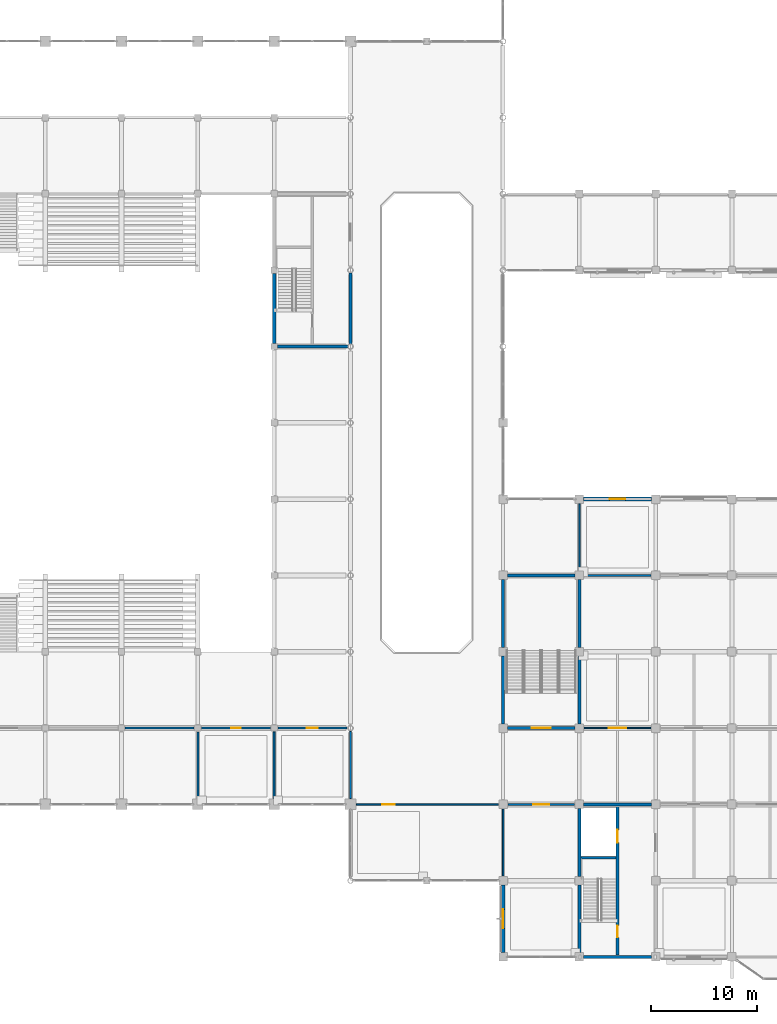
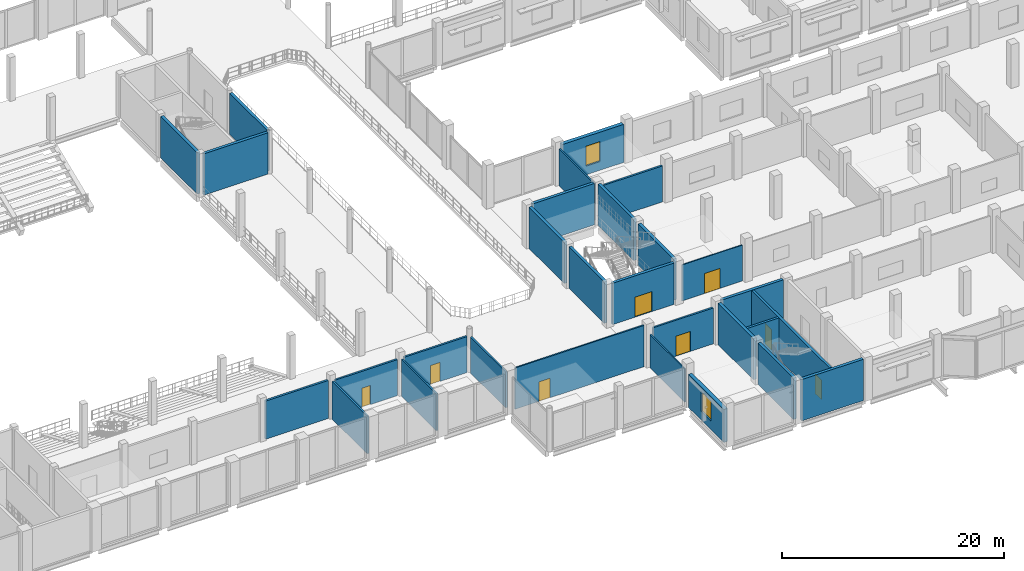
# One storey, part 66 of 99: 29 walls, 8 doors, 2 windows, 10 openings.
"""IFC4 building model written with IfcOpenShell, lengths in metres."""

from ifc_helpers import new_model, si_unit, direction, frame, frame_2d, origin, place, context, subcontext, project, spatial, rectangle, extrude, material, layer, layer_set, type_object, element, fill, save


model = new_model("IFC4")

# Units and contexts
model_context = context("Model", 3, precision=1e-05, world=origin(), true_north=direction((0.0, 1.0)))
body_context = subcontext(model_context, "Body", "Model", "MODEL_VIEW")
ifc_project = project(units=[si_unit("LENGTHUNIT", "METRE"), si_unit("AREAUNIT", "SQUARE_METRE"), si_unit("VOLUMEUNIT", "CUBIC_METRE"), si_unit("PLANEANGLEUNIT", "RADIAN"), si_unit("MASSUNIT", "GRAM", prefix="KILO")], contexts=[model_context])

# Site, building, storey
site_placement = place(None, origin())
site = spatial("IfcSite", under=ifc_project, at=site_placement, CompositionType="ELEMENT")
building_placement = place(site_placement, origin())
building = spatial("IfcBuilding", under=site, at=building_placement, Name="Vesperath Aquatics Centre", CompositionType="ELEMENT")
storey_placement = place(building_placement, frame((0.0, 0.0, 5.39990234375)))
storey = spatial("IfcBuildingStorey", under=building, at=storey_placement, Name="L01", CompositionType="ELEMENT", Elevation=5.39990234375)

# Wall, opening, window
ifc_material_1 = material(Name="Red-terracotta brick insulated cavity wall", Category="masonry")
ifc_layer_1 = layer(ifc_material_1, 0.3798828125)
ifc_layer_set_1 = layer_set([ifc_layer_1], Name="Red-terracotta brick insulated cavity wall")
wall_type_1 = type_object("IfcWallType", Name="WL-EW02", PredefinedType="SOLIDWALL", material=ifc_layer_set_1)
wall_1_placement = place(storey_placement, frame((122.800048828125, 43.199951171875, 0.0), z_axis=(0.0, 0.0, 1.0), x_axis=(1.0, 0.0, 0.0)))
wall_1 = element("IfcWall", 1, at=wall_1_placement, inside=storey, type_object=wall_type_1, Name="Exterior Wall EW02 L01_N_17_06", PredefinedType="SOLIDWALL", context=body_context, shape_type="SweptSolid", body=[
    extrude(rectangle(XDim=6.39990234375, YDim=0.3798828125, at=frame_2d((3.199951171875, 0.0))), origin(), (0.0, 0.0, 1.0), 4.190185546875),
])
opening_1_placement = place(wall_1_placement, frame((2.449951171875, 0.0, 0.949951171875)))
opening_1 = element("IfcOpeningElement", 2, at=opening_1_placement, cuts=wall_1, Name="Opening W04", PredefinedType="OPENING", context=body_context, shape_type="SweptSolid", body=[
    extrude(rectangle(XDim=1.5, YDim=2.199951171875, at=frame_2d((0.75, 1.10009765625))), frame((0.0, 0.204833984375, 0.0), z_axis=(0.0, -1.0, 0.0), x_axis=(1.0, 0.0, 0.0)), (0.0, 0.0, 1.0), 0.40966796875),
])
ifc_material_2 = material(Name="Thermally broken aluminium triple-glazed window", Category="aluminium")
window_type_1 = type_object("IfcWindowType", Name="WN-W04", PartitioningType="SINGLE_PANEL", PredefinedType="WINDOW", material=ifc_material_2)
window_1_placement = place(opening_1_placement, origin())
window_1 = element("IfcWindow", 3, at=window_1_placement, inside=storey, type_object=window_type_1, Name="Deep-Reveal Casement Window W04 L01_N_17_06", OverallHeight=2.199951171875, OverallWidth=1.5, PartitioningType="SINGLE_PANEL", PredefinedType="WINDOW", context=body_context, shape_type="SweptSolid", body=[
    extrude(rectangle(XDim=1.5, YDim=2.199951171875, at=frame_2d((0.75, 1.10009765625))), frame((0.0, 0.030029296875, 0.0), z_axis=(0.0, -1.0, 0.0), x_axis=(1.0, 0.0, 0.0)), (0.0, 0.0, 1.0), 0.06005859375),
])
fill(opening_1, window_1)

wall_2_placement = place(storey_placement, frame((115.199951171875, 0.39990234375, 0.0), z_axis=(0.0, 0.0, 1.0), x_axis=(0.0, 1.0, 0.0)))
wall_2 = element("IfcWall", 4, at=wall_2_placement, inside=storey, type_object=wall_type_1, Name="Exterior Wall EW02 L01_W_16_00", PredefinedType="SOLIDWALL", context=body_context, shape_type="SweptSolid", body=[
    extrude(rectangle(XDim=6.400146484375, YDim=0.3798828125, at=frame_2d((3.2001953125, 0.0))), origin(), (0.0, 0.0, 1.0), 3.64013671875),
])
opening_2_placement = place(wall_2_placement, frame((2.300048828125, 0.0, 0.949951171875)))
opening_2 = element("IfcOpeningElement", 5, at=opening_2_placement, cuts=wall_2, Name="Opening W03", PredefinedType="OPENING", context=body_context, shape_type="SweptSolid", body=[
    extrude(rectangle(XDim=1.800048828125, YDim=2.199951171875, at=frame_2d((0.89990234375, 1.10009765625))), frame((0.0, 0.204833984375, 0.0), z_axis=(0.0, -1.0, 0.0), x_axis=(1.0, 0.0, 0.0)), (0.0, 0.0, 1.0), 0.40966796875),
])
window_type_2 = type_object("IfcWindowType", Name="WN-W03", PartitioningType="SINGLE_PANEL", PredefinedType="WINDOW", material=ifc_material_2)
window_2_placement = place(opening_2_placement, origin())
window_2 = element("IfcWindow", 6, at=window_2_placement, inside=storey, type_object=window_type_2, Name="Deep-Reveal Casement Window W03 L01_W_16_00", OverallHeight=2.199951171875, OverallWidth=1.800048828125, PartitioningType="SINGLE_PANEL", PredefinedType="WINDOW", context=body_context, shape_type="SweptSolid", body=[
    extrude(rectangle(XDim=1.800048828125, YDim=2.199951171875, at=frame_2d((0.89990234375, 1.10009765625))), frame((0.0, 0.030029296875, 0.0), z_axis=(0.0, -1.0, 0.0), x_axis=(1.0, 0.0, 0.0)), (0.0, 0.0, 1.0), 0.06005859375),
])
fill(opening_2, window_2)

# Walls
ifc_material_3 = material(Name="Masonry fire compartment wall", Category="masonry")
ifc_layer_2 = layer(ifc_material_3, 0.219970703125)
ifc_layer_set_2 = layer_set([ifc_layer_2], Name="Masonry fire compartment wall")
wall_type_2 = type_object("IfcWallType", Name="WL-FW02", PredefinedType="SOLIDWALL", material=ifc_layer_set_2)
wall_3_placement = place(storey_placement, frame((79.550048828125, 21.60009765625, 0.0), z_axis=(0.0, 0.0, 1.0), x_axis=(1.0, 0.0, 0.0)))
element("IfcWall", 7, at=wall_3_placement, inside=storey, type_object=wall_type_2, Name="Interior Partition FW02 L01_KIOSK_S2-N4", PredefinedType="SOLIDWALL", context=body_context, shape_type="SweptSolid", body=[
    extrude(rectangle(XDim=6.5, YDim=0.219970703125, at=frame_2d((3.25, 0.0))), origin(), (0.0, 0.0, 1.0), 4.190185546875),
])
ifc_material_4 = material(Name="Wet-village masonry block wall", Category="masonry")
ifc_layer_3 = layer(ifc_material_4, 0.199951171875)
ifc_layer_set_3 = layer_set([ifc_layer_3], Name="Wet-village masonry block wall")
wall_type_3 = type_object("IfcWallType", Name="WL-FW03", PredefinedType="SOLIDWALL", material=ifc_layer_set_3)
wall_4_placement = place(storey_placement, frame((86.39990234375, 14.949951171875, 0.0), z_axis=(0.0, 0.0, 1.0), x_axis=(0.0, 1.0, 0.0)))
element("IfcWall", 8, at=wall_4_placement, inside=storey, type_object=wall_type_3, Name="Interior Partition FW03 L01_KIOSK_S2-E1", PredefinedType="SOLIDWALL", context=body_context, shape_type="SweptSolid", body=[
    extrude(rectangle(XDim=6.300048828125, YDim=0.199951171875, at=frame_2d((3.14990234375, 0.0))), origin(), (0.0, 0.0, 1.0), 4.150146484375),
])

# Wall, opening, door
wall_5_placement = place(storey_placement, frame((86.75, 21.60009765625, 0.0), z_axis=(0.0, 0.0, 1.0), x_axis=(1.0, 0.0, 0.0)))
wall_5 = element("IfcWall", 9, at=wall_5_placement, inside=storey, type_object=wall_type_3, Name="Interior Partition FW03 L01_SPEC_MWC-N1", PredefinedType="SOLIDWALL", context=body_context, shape_type="SweptSolid", body=[
    extrude(rectangle(XDim=6.5, YDim=0.199951171875, at=frame_2d((3.25, 0.0))), origin(), (0.0, 0.0, 1.0), 3.9521484375),
])
opening_3_placement = place(wall_5_placement, frame((2.7900390625, 0.0, 0.0)))
opening_3 = element("IfcOpeningElement", 10, at=opening_3_placement, cuts=wall_5, Name="Opening D08", PredefinedType="OPENING", context=body_context, shape_type="SweptSolid", body=[
    extrude(rectangle(XDim=0.919921875, YDim=2.10009765625, at=frame_2d((0.4599609375, 1.050048828125))), frame((0.0, 0.11474609375, 0.0), z_axis=(0.0, -1.0, 0.0), x_axis=(1.0, 0.0, 0.0)), (0.0, 0.0, 1.0), 0.229736328125),
])
ifc_material_5 = material(Name="Moisture-resistant HPL washroom door", Category="wood")
door_type_1 = type_object("IfcDoorType", Name="DR-WC03", OperationType="NOTDEFINED", PredefinedType="DOOR", material=ifc_material_5)
door_1_placement = place(opening_3_placement, frame((0.919921875, 0.0, 0.0), z_axis=(0.0, 0.0, 1.0), x_axis=(-1.0, 0.0, 0.0)))
door_1 = element("IfcDoor", 11, at=door_1_placement, inside=storey, type_object=door_type_1, Name="Spectator Male WC L01 Door D08", OperationType="SINGLE_SWING_LEFT", OverallHeight=2.10009765625, OverallWidth=0.919921875, PredefinedType="DOOR", context=body_context, shape_type="SweptSolid", body=[
    extrude(rectangle(XDim=0.919921875, YDim=2.10009765625, at=frame_2d((0.4599609375, 1.050048828125))), frame((0.0, 0.02490234375, 0.0), z_axis=(0.0, -1.0, 0.0), x_axis=(1.0, 0.0, 0.0)), (0.0, 0.0, 1.0), 0.050048828125),
])
fill(opening_3, door_1)

wall_6_placement = place(storey_placement, frame((93.949951171875, 21.60009765625, 0.0), z_axis=(0.0, 0.0, 1.0), x_axis=(1.0, 0.0, 0.0)))
wall_6 = element("IfcWall", 12, at=wall_6_placement, inside=storey, type_object=wall_type_3, Name="Interior Partition FW03 L01_SPEC_AWC-N1", PredefinedType="SOLIDWALL", context=body_context, shape_type="SweptSolid", body=[
    extrude(rectangle(XDim=6.546142578125, YDim=0.199951171875, at=frame_2d((3.27294921875, 0.0))), origin(), (0.0, 0.0, 1.0), 3.9521484375),
])
opening_4_placement = place(wall_6_placement, frame((2.75, 0.0, 0.0)))
opening_4 = element("IfcOpeningElement", 13, at=opening_4_placement, cuts=wall_6, Name="Opening D06", PredefinedType="OPENING", context=body_context, shape_type="SweptSolid", body=[
    extrude(rectangle(XDim=1.0, YDim=2.10009765625, at=frame_2d((0.5, 1.050048828125))), frame((0.0, 0.11474609375, 0.0), z_axis=(0.0, -1.0, 0.0), x_axis=(1.0, 0.0, 0.0)), (0.0, 0.0, 1.0), 0.229736328125),
])
ifc_material_6 = material(Name="Moisture-resistant HPL accessible toilet door", Category="wood")
door_type_2 = type_object("IfcDoorType", Name="DR-WC01", OperationType="NOTDEFINED", PredefinedType="DOOR", material=ifc_material_6)
door_2_placement = place(opening_4_placement, frame((1.0, 0.0, 0.0), z_axis=(0.0, 0.0, 1.0), x_axis=(-1.0, 0.0, 0.0)))
door_2 = element("IfcDoor", 14, at=door_2_placement, inside=storey, type_object=door_type_2, Name="Accessible WC L01 Door D06", OperationType="SINGLE_SWING_RIGHT", OverallHeight=2.10009765625, OverallWidth=1.0, PredefinedType="DOOR", context=body_context, shape_type="SweptSolid", body=[
    extrude(rectangle(XDim=1.0, YDim=2.10009765625, at=frame_2d((0.5, 1.050048828125))), frame((0.0, 0.02490234375, 0.0), z_axis=(0.0, -1.0, 0.0), x_axis=(1.0, 0.0, 0.0)), (0.0, 0.0, 1.0), 0.050048828125),
])
fill(opening_4, door_2)

ifc_material_7 = material(Name="Plant acoustic masonry wall", Category="masonry")
ifc_layer_4 = layer(ifc_material_7, 0.18994140625)
ifc_layer_set_4 = layer_set([ifc_layer_4], Name="Plant acoustic masonry wall")
wall_type_4 = type_object("IfcWallType", Name="WL-FW04", PredefinedType="SOLIDWALL", material=ifc_layer_set_4)
wall_7_placement = place(storey_placement, frame((115.64990234375, 14.39990234375, 0.0), z_axis=(0.0, 0.0, 1.0), x_axis=(1.0, 0.0, 0.0)))
wall_7 = element("IfcWall", 15, at=wall_7_placement, inside=storey, type_object=wall_type_4, Name="Interior Partition FW04 L01_HYDRO-N1", PredefinedType="SOLIDWALL", context=body_context, shape_type="SweptSolid", body=[
    extrude(rectangle(XDim=6.300048828125, YDim=0.18994140625, at=frame_2d((3.14990234375, 0.0))), origin(), (0.0, 0.0, 1.0), 3.9521484375),
])
opening_5_placement = place(wall_7_placement, frame((2.39990234375, 0.0, 0.0)))
opening_5 = element("IfcOpeningElement", 16, at=opening_5_placement, cuts=wall_7, Name="Opening D18", PredefinedType="OPENING", context=body_context, shape_type="SweptSolid", body=[
    extrude(rectangle(XDim=1.5, YDim=2.199951171875, at=frame_2d((0.75, 1.10009765625))), frame((0.0, 0.10986328125, 0.0), z_axis=(0.0, -1.0, 0.0), x_axis=(1.0, 0.0, 0.0)), (0.0, 0.0, 1.0), 0.2197265625),
])
ifc_material_8 = material(Name="Aquatics shop glazed double door", Category="aluminium")
door_type_3 = type_object("IfcDoorType", Name="DR-RM10", OperationType="DOUBLE_SWING_LEFT", PredefinedType="DOOR", material=ifc_material_8)
door_3_placement = place(opening_5_placement, frame((1.5, 0.0, 0.0), z_axis=(0.0, 0.0, 1.0), x_axis=(-1.0, 0.0, 0.0)))
door_3 = element("IfcDoor", 17, at=door_3_placement, inside=storey, type_object=door_type_3, Name="Hydrotherapy Rehabilitation Suite Door D18", OperationType="DOUBLE_SWING_LEFT", OverallHeight=2.199951171875, OverallWidth=1.5, PredefinedType="DOOR", context=body_context, shape_type="SweptSolid", body=[
    extrude(rectangle(XDim=1.5, YDim=2.199951171875, at=frame_2d((0.75, 1.10009765625))), frame((0.0, 0.02490234375, 0.0), z_axis=(0.0, -1.0, 0.0), x_axis=(1.0, 0.0, 0.0)), (0.0, 0.0, 1.0), 0.050048828125),
])
fill(opening_5, door_3)

# Walls
ifc_material_9 = material(Name="Moisture-resistant tiled wet partition", Category="gypsum")
ifc_layer_5 = layer(ifc_material_9, 0.175048828125)
ifc_layer_set_5 = layer_set([ifc_layer_5], Name="Moisture-resistant tiled wet partition")
wall_type_5 = type_object("IfcWallType", Name="WL-IW02", PredefinedType="PARTITIONING", material=ifc_layer_set_5)
wall_8_placement = place(storey_placement, frame((93.60009765625, 14.949951171875, 0.0), z_axis=(0.0, 0.0, 1.0), x_axis=(0.0, 1.0, 0.0)))
element("IfcWall", 18, at=wall_8_placement, inside=storey, type_object=wall_type_5, Name="Interior Partition IW02 L01_SPEC_MWC-E1", PredefinedType="PARTITIONING", context=body_context, shape_type="SweptSolid", body=[
    extrude(rectangle(XDim=6.300048828125, YDim=0.175048828125, at=frame_2d((3.14990234375, 0.0))), origin(), (0.0, 0.0, 1.0), 4.052001953125),
])
wall_9_placement = place(storey_placement, frame((100.800048828125, 14.949951171875, 0.0), z_axis=(0.0, 0.0, 1.0), x_axis=(0.0, 1.0, 0.0)))
element("IfcWall", 19, at=wall_9_placement, inside=storey, type_object=wall_type_5, Name="Interior Partition IW02 L01_SPEC_AWC-E1", PredefinedType="PARTITIONING", context=body_context, shape_type="SweptSolid", body=[
    extrude(rectangle(XDim=6.345947265625, YDim=0.175048828125, at=frame_2d((3.1728515625, 0.0))), origin(), (0.0, 0.0, 1.0), 3.9521484375),
])

# Wall, opening, door
ifc_material_10 = material(Name="Classroom acoustic partition", Category="gypsum")
ifc_layer_6 = layer(ifc_material_10, 0.14501953125)
ifc_layer_set_6 = layer_set([ifc_layer_6], Name="Classroom acoustic partition")
wall_type_6 = type_object("IfcWallType", Name="WL-IW06", PredefinedType="PARTITIONING", material=ifc_layer_set_6)
wall_10_placement = place(storey_placement, frame((101.35009765625, 14.39990234375, 0.0), z_axis=(0.0, 0.0, 1.0), x_axis=(1.0, 0.0, 0.0)))
wall_10 = element("IfcWall", 20, at=wall_10_placement, inside=storey, type_object=wall_type_6, Name="Interior Partition IW06 L01_TEA_BAR-N1", PredefinedType="PARTITIONING", context=body_context, shape_type="SweptSolid", body=[
    extrude(rectangle(XDim=13.39990234375, YDim=0.14501953125, at=frame_2d((6.699951171875, 0.0))), origin(), (0.0, 0.0, 1.0), 4.5400390625),
])
opening_6_placement = place(wall_10_placement, frame((2.4599609375, 0.0, 0.0)))
opening_6 = element("IfcOpeningElement", 21, at=opening_6_placement, cuts=wall_10, Name="Opening D14", PredefinedType="OPENING", context=body_context, shape_type="SweptSolid", body=[
    extrude(rectangle(XDim=1.179931640625, YDim=2.14990234375, at=frame_2d((0.58984375, 1.074951171875))), frame((0.0, 0.08740234375, 0.0), z_axis=(0.0, -1.0, 0.0), x_axis=(1.0, 0.0, 0.0)), (0.0, 0.0, 1.0), 0.1748046875),
])
ifc_material_11 = material(Name="First-aid stretcher door", Category="steel")
door_type_4 = type_object("IfcDoorType", Name="DR-RM06", OperationType="NOTDEFINED", PredefinedType="DOOR", material=ifc_material_11)
door_4_placement = place(opening_6_placement, frame((1.179931640625, 0.0, 0.0), z_axis=(0.0, 0.0, 1.0), x_axis=(-1.0, 0.0, 0.0)))
door_4 = element("IfcDoor", 22, at=door_4_placement, inside=storey, type_object=door_type_4, Name="Conservatory Overlook Tea Bar Door D14", OperationType="SINGLE_SWING_RIGHT", OverallHeight=2.14990234375, OverallWidth=1.179931640625, PredefinedType="DOOR", context=body_context, shape_type="SweptSolid", body=[
    extrude(rectangle(XDim=1.179931640625, YDim=2.14990234375, at=frame_2d((0.58984375, 1.074951171875))), frame((0.0, 0.02490234375, 0.0), z_axis=(0.0, -1.0, 0.0), x_axis=(1.0, 0.0, 0.0)), (0.0, 0.0, 1.0), 0.050048828125),
])
fill(opening_6, door_4)

# Walls
ifc_material_12 = material(Name="Changing cubicle masonry-backed partition", Category="masonry")
ifc_layer_7 = layer(ifc_material_12, 0.137939453125)
ifc_layer_set_7 = layer_set([ifc_layer_7], Name="Changing cubicle masonry-backed partition")
wall_type_7 = type_object("IfcWallType", Name="WL-IW07", PredefinedType="PARTITIONING", material=ifc_layer_set_7)
wall_11_placement = place(storey_placement, frame((115.199951171875, 7.64990234375, 0.0), z_axis=(0.0, 0.0, 1.0), x_axis=(0.0, 1.0, 0.0)))
element("IfcWall", 23, at=wall_11_placement, inside=storey, type_object=wall_type_7, Name="Interior Partition IW07 L01_TEA_BAR-E1", PredefinedType="PARTITIONING", context=body_context, shape_type="SweptSolid", body=[
    extrude(rectangle(XDim=6.300048828125, YDim=0.137939453125, at=frame_2d((3.14990234375, 0.0))), origin(), (0.0, 0.0, 1.0), 3.64013671875),
])
wall_12_placement = place(storey_placement, frame((122.39990234375, 36.449951171875, 0.0), z_axis=(0.0, 0.0, 1.0), x_axis=(0.0, 1.0, 0.0)))
element("IfcWall", 24, at=wall_12_placement, inside=storey, type_object=wall_type_7, Name="Interior Partition IW07 L01_REHAB_GYM-W1", PredefinedType="PARTITIONING", context=body_context, shape_type="SweptSolid", body=[
    extrude(rectangle(XDim=6.300048828125, YDim=0.137939453125, at=frame_2d((3.14990234375, 0.0))), origin(), (0.0, 0.0, 1.0), 4.052001953125),
])

# Wall, opening, door
ifc_material_13 = material(Name="Kiosk counter partition", Category="gypsum")
ifc_layer_8 = layer(ifc_material_13, 0.10791015625)
ifc_layer_set_8 = layer_set([ifc_layer_8], Name="Kiosk counter partition")
wall_type_8 = type_object("IfcWallType", Name="WL-IW11", PredefinedType="PARTITIONING", material=ifc_layer_set_8)
wall_13_placement = place(storey_placement, frame((122.85009765625, 21.60009765625, 0.0), z_axis=(0.0, 0.0, 1.0), x_axis=(1.0, 0.0, 0.0)))
wall_13 = element("IfcWall", 25, at=wall_13_placement, inside=storey, type_object=wall_type_8, Name="Interior Partition IW11 L01_TEACH_1-S1", PredefinedType="PARTITIONING", context=body_context, shape_type="SweptSolid", body=[
    extrude(rectangle(XDim=6.2998046875, YDim=0.10791015625, at=frame_2d((3.14990234375, 0.0))), origin(), (0.0, 0.0, 1.0), 3.9521484375),
])
opening_7_placement = place(wall_13_placement, frame((2.340087890625, 0.0, 0.0)))
opening_7 = element("IfcOpeningElement", 26, at=opening_7_placement, cuts=wall_13, Name="Opening D21", PredefinedType="OPENING", context=body_context, shape_type="SweptSolid", body=[
    extrude(rectangle(XDim=1.6201171875, YDim=2.199951171875, at=frame_2d((0.81005859375, 1.10009765625))), frame((0.0, 0.06884765625, 0.0), z_axis=(0.0, -1.0, 0.0), x_axis=(1.0, 0.0, 0.0)), (0.0, 0.0, 1.0), 0.1376953125),
])
ifc_material_14 = material(Name="Hydrotherapy clinic glazed double door", Category="aluminium")
door_type_5 = type_object("IfcDoorType", Name="DR-RM13", OperationType="DOUBLE_SWING_LEFT", PredefinedType="DOOR", material=ifc_material_14)
door_5_placement = place(opening_7_placement, origin())
door_5 = element("IfcDoor", 27, at=door_5_placement, inside=storey, type_object=door_type_5, Name="Lifesaving and First-Aid Teaching Classroom Door D21", OperationType="DOUBLE_SWING_LEFT", OverallHeight=2.199951171875, OverallWidth=1.6201171875, PredefinedType="DOOR", context=body_context, shape_type="SweptSolid", body=[
    extrude(rectangle(XDim=1.6201171875, YDim=2.199951171875, at=frame_2d((0.81005859375, 1.10009765625))), frame((0.0, 0.02490234375, 0.0), z_axis=(0.0, -1.0, 0.0), x_axis=(1.0, 0.0, 0.0)), (0.0, 0.0, 1.0), 0.050048828125),
])
fill(opening_7, door_5)

# Walls
ifc_material_15 = material(Name="Shaft enclosure fire partition", Category="gypsum")
ifc_layer_9 = layer(ifc_material_15, 0.195068359375)
ifc_layer_set_9 = layer_set([ifc_layer_9], Name="Shaft enclosure fire partition")
wall_type_9 = type_object("IfcWallType", Name="WL-IW14", PredefinedType="PARTITIONING", material=ifc_layer_set_9)
wall_14_placement = place(storey_placement, frame((122.85009765625, 36.0, 0.0), z_axis=(0.0, 0.0, 1.0), x_axis=(1.0, 0.0, 0.0)))
element("IfcWall", 28, at=wall_14_placement, inside=storey, type_object=wall_type_9, Name="Interior Partition IW14 L01_TEACH_1-N1", PredefinedType="PARTITIONING", context=body_context, shape_type="SweptSolid", body=[
    extrude(rectangle(XDim=6.2998046875, YDim=0.195068359375, at=frame_2d((3.14990234375, 0.0))), origin(), (0.0, 0.0, 1.0), 3.9521484375),
])
ifc_material_16 = material(Name="Concrete C40", Category="concrete")
ifc_layer_10 = layer(ifc_material_16, 0.300048828125)
ifc_layer_set_10 = layer_set([ifc_layer_10], Name="Concrete C40")
wall_type_10 = type_object("IfcWallType", Name="WL-SW01", PredefinedType="SHEAR", material=ifc_layer_set_10)
wall_15_placement = place(storey_placement, frame((93.89990234375, 57.60009765625, 0.0), z_axis=(0.0, 0.0, 1.0), x_axis=(1.0, 0.0, 0.0)))
element("IfcWall", 29, at=wall_15_placement, inside=storey, type_object=wall_type_10, Name="Core C8 South Shear Wall SW01 L01", PredefinedType="SHEAR", context=body_context, shape_type="SweptSolid", body=[
    extrude(rectangle(XDim=6.64599609375, YDim=0.300048828125, at=frame_2d((3.322998046875, 0.0))), origin(), (0.0, 0.0, 1.0), 4.5400390625),
])
wall_16_placement = place(storey_placement, frame((100.800048828125, 57.85400390625, 0.0), z_axis=(0.0, 0.0, 1.0), x_axis=(0.0, 1.0, 0.0)))
element("IfcWall", 30, at=wall_16_placement, inside=storey, type_object=wall_type_10, Name="Core C8 East-1 Shear Wall SW01 L01", PredefinedType="SHEAR", context=body_context, shape_type="SweptSolid", body=[
    extrude(rectangle(XDim=6.69189453125, YDim=0.300048828125, at=frame_2d((3.345947265625, 0.0))), origin(), (0.0, 0.0, 1.0), 4.5400390625),
])
wall_17_placement = place(storey_placement, frame((122.800048828125, 14.39990234375, 0.0), z_axis=(0.0, 0.0, 1.0), x_axis=(1.0, 0.0, 0.0)))
element("IfcWall", 31, at=wall_17_placement, inside=storey, type_object=wall_type_10, Name="Core C5 North Shear Wall SW01 L01", PredefinedType="SHEAR", context=body_context, shape_type="SweptSolid", body=[
    extrude(rectangle(XDim=6.39990234375, YDim=0.300048828125, at=frame_2d((3.199951171875, 0.0))), origin(), (0.0, 0.0, 1.0), 4.5400390625),
])
wall_18_placement = place(storey_placement, frame((122.39990234375, 0.39990234375, 0.0), z_axis=(0.0, 0.0, 1.0), x_axis=(0.0, 1.0, 0.0)))
element("IfcWall", 32, at=wall_18_placement, inside=storey, type_object=wall_type_10, Name="Core C5 West-1 Shear Wall SW01 L01", PredefinedType="SHEAR", context=body_context, shape_type="SweptSolid", body=[
    extrude(rectangle(XDim=6.400146484375, YDim=0.300048828125, at=frame_2d((3.2001953125, 0.0))), origin(), (0.0, 0.0, 1.0), 4.5400390625),
])
wall_19_placement = place(storey_placement, frame((122.39990234375, 7.60009765625, 0.0), z_axis=(0.0, 0.0, 1.0), x_axis=(0.0, 1.0, 0.0)))
element("IfcWall", 33, at=wall_19_placement, inside=storey, type_object=wall_type_10, Name="Core C5 West-2 Shear Wall SW01 L01", PredefinedType="SHEAR", context=body_context, shape_type="SweptSolid", body=[
    extrude(rectangle(XDim=6.39990234375, YDim=0.300048828125, at=frame_2d((3.199951171875, 0.0))), origin(), (0.0, 0.0, 1.0), 4.5400390625),
])

# Wall, opening, door
wall_20_placement = place(storey_placement, frame((115.60009765625, 21.60009765625, 0.0), z_axis=(0.0, 0.0, 1.0), x_axis=(1.0, 0.0, 0.0)))
wall_20 = element("IfcWall", 34, at=wall_20_placement, inside=storey, type_object=wall_type_10, Name="Core C7 South Shear Wall SW01 L01", PredefinedType="SHEAR", context=body_context, shape_type="SweptSolid", body=[
    extrude(rectangle(XDim=6.39990234375, YDim=0.300048828125, at=frame_2d((3.199951171875, 0.0))), origin(), (0.0, 0.0, 1.0), 4.5400390625),
])
opening_8_placement = place(wall_20_placement, frame((2.300048828125, 0.0, 0.0)))
opening_8 = element("IfcOpeningElement", 35, at=opening_8_placement, cuts=wall_20, Name="Opening D03", PredefinedType="OPENING", context=body_context, shape_type="SweptSolid", body=[
    extrude(rectangle(XDim=1.800048828125, YDim=2.199951171875, at=frame_2d((0.89990234375, 1.10009765625))), frame((0.0, 0.1650390625, 0.0), z_axis=(0.0, -1.0, 0.0), x_axis=(1.0, 0.0, 0.0)), (0.0, 0.0, 1.0), 0.329833984375),
])
ifc_material_17 = material(Name="Corridor smoke-control double fire door", Category="steel")
door_type_6 = type_object("IfcDoorType", Name="DR-FD03", OperationType="DOUBLE_SWING_LEFT", PredefinedType="DOOR", material=ifc_material_17)
door_6_placement = place(opening_8_placement, origin())
door_6 = element("IfcDoor", 36, at=door_6_placement, inside=storey, type_object=door_type_6, Name="Stair ST7 Fire Door D03 L01", OperationType="DOUBLE_SWING_LEFT", OverallHeight=2.199951171875, OverallWidth=1.800048828125, PredefinedType="DOOR", context=body_context, shape_type="SweptSolid", body=[
    extrude(rectangle(XDim=1.800048828125, YDim=2.199951171875, at=frame_2d((0.89990234375, 1.10009765625))), frame((0.0, 0.02490234375, 0.0), z_axis=(0.0, -1.0, 0.0), x_axis=(1.0, 0.0, 0.0)), (0.0, 0.0, 1.0), 0.050048828125),
])
fill(opening_8, door_6)

# Walls
for number, where, z_axis, x_axis, name in (
    (37, (115.60009765625, 36.0, 0.0), (0.0, 0.0, 1.0), (1.0, 0.0, 0.0), "Core C7 North Shear Wall SW01 L01"),
    (38, (115.199951171875, 22.0, 0.0), (0.0, 0.0, 1.0), (0.0, 1.0, 0.0), "Core C7 West-1 Shear Wall SW01 L01"),
):
    element("IfcWall", number, at=place(storey_placement, frame(where, z_axis=z_axis, x_axis=x_axis)), inside=storey, type_object=wall_type_10, Name=name, PredefinedType="SHEAR", context=body_context, shape_type="SweptSolid", body=[
        extrude(rectangle(XDim=6.39990234375, YDim=0.300048828125, at=frame_2d((3.199951171875, 0.0))), origin(), (0.0, 0.0, 1.0), 4.5400390625),
    ])
wall_21_placement = place(storey_placement, frame((115.199951171875, 29.199951171875, 0.0), z_axis=(0.0, 0.0, 1.0), x_axis=(0.0, 1.0, 0.0)))
element("IfcWall", 39, at=wall_21_placement, inside=storey, type_object=wall_type_10, Name="Core C7 West-2 Shear Wall SW01 L01", PredefinedType="SHEAR", context=body_context, shape_type="SweptSolid", body=[
    extrude(rectangle(XDim=6.400146484375, YDim=0.300048828125, at=frame_2d((3.2001953125, 0.0))), origin(), (0.0, 0.0, 1.0), 4.5400390625),
])
wall_22_placement = place(storey_placement, frame((122.39990234375, 22.0, 0.0), z_axis=(0.0, 0.0, 1.0), x_axis=(0.0, 1.0, 0.0)))
element("IfcWall", 40, at=wall_22_placement, inside=storey, type_object=wall_type_10, Name="Core C7 East-1 Shear Wall SW01 L01", PredefinedType="SHEAR", context=body_context, shape_type="SweptSolid", body=[
    extrude(rectangle(XDim=6.39990234375, YDim=0.300048828125, at=frame_2d((3.199951171875, 0.0))), origin(), (0.0, 0.0, 1.0), 4.5400390625),
])
wall_23_placement = place(storey_placement, frame((122.39990234375, 29.199951171875, 0.0), z_axis=(0.0, 0.0, 1.0), x_axis=(0.0, 1.0, 0.0)))
element("IfcWall", 41, at=wall_23_placement, inside=storey, type_object=wall_type_10, Name="Core C7 East-2 Shear Wall SW01 L01", PredefinedType="SHEAR", context=body_context, shape_type="SweptSolid", body=[
    extrude(rectangle(XDim=6.400146484375, YDim=0.300048828125, at=frame_2d((3.2001953125, 0.0))), origin(), (0.0, 0.0, 1.0), 4.5400390625),
])

# Wall, openings, doors
ifc_layer_11 = layer(ifc_material_16, 0.260009765625)
ifc_layer_set_11 = layer_set([ifc_layer_11], Name="Concrete C40")
wall_type_11 = type_object("IfcWallType", Name="WL-SW03", PredefinedType="SHEAR", material=ifc_layer_set_11)
wall_24_placement = place(storey_placement, frame((126.0, 0.199951171875, 0.0), z_axis=(0.0, 0.0, 1.0), x_axis=(0.0, 1.0, 0.0)))
wall_24 = element("IfcWall", 42, at=wall_24_placement, inside=storey, type_object=wall_type_11, Name="Core C5 Spine Shear Wall SW03 L01", PredefinedType="SHEAR", context=body_context, shape_type="SweptSolid", body=[
    extrude(rectangle(XDim=14.0, YDim=0.260009765625, at=frame_2d((7.0, 0.0))), origin(), (0.0, 0.0, 1.0), 4.5400390625),
])
opening_9_placement = place(wall_24_placement, frame((1.64990234375, 0.0, 0.0)))
opening_9 = element("IfcOpeningElement", 43, at=opening_9_placement, cuts=wall_24, Name="Opening D01", PredefinedType="OPENING", context=body_context, shape_type="SweptSolid", body=[
    extrude(rectangle(XDim=1.10009765625, YDim=2.14990234375, at=frame_2d((0.550048828125, 1.074951171875))), frame((0.0, 0.14501953125, 0.0), z_axis=(0.0, -1.0, 0.0), x_axis=(1.0, 0.0, 0.0)), (0.0, 0.0, 1.0), 0.289794921875),
])
opening_10_placement = place(wall_24_placement, frame((10.60009765625, 0.0, 0.0)))
opening_10 = element("IfcOpeningElement", 44, at=opening_10_placement, cuts=wall_24, Name="Opening LD03", PredefinedType="OPENING", context=body_context, shape_type="SweptSolid", body=[
    extrude(rectangle(XDim=1.199951171875, YDim=2.25, at=frame_2d((0.60009765625, 1.125))), frame((0.0, 0.14501953125, 0.0), z_axis=(0.0, -1.0, 0.0), x_axis=(1.0, 0.0, 0.0)), (0.0, 0.0, 1.0), 0.289794921875),
])
ifc_material_18 = material(Name="Steel-faced acoustic fire door", Category="steel")
door_type_7 = type_object("IfcDoorType", Name="DR-FD01", OperationType="NOTDEFINED", PredefinedType="DOOR", material=ifc_material_18)
door_7_placement = place(opening_9_placement, origin())
door_7 = element("IfcDoor", 45, at=door_7_placement, inside=storey, type_object=door_type_7, Name="Stair ST5 Fire Door D01 L01", OperationType="SINGLE_SWING_RIGHT", OverallHeight=2.14990234375, OverallWidth=1.10009765625, PredefinedType="DOOR", context=body_context, shape_type="SweptSolid", body=[
    extrude(rectangle(XDim=1.10009765625, YDim=2.14990234375, at=frame_2d((0.550048828125, 1.074951171875))), frame((0.0, 0.02490234375, 0.0), z_axis=(0.0, -1.0, 0.0), x_axis=(1.0, 0.0, 0.0)), (0.0, 0.0, 1.0), 0.050048828125),
])
fill(opening_9, door_7)
ifc_material_19 = material(Name="Firefighting stainless lift landing door", Category="steel")
door_type_8 = type_object("IfcDoorType", Name="DR-LD03", OperationType="SLIDING_TO_LEFT", PredefinedType="DOOR", material=ifc_material_19)
door_8_placement = place(opening_10_placement, frame((1.199951171875, 0.0, 0.0), z_axis=(0.0, 0.0, 1.0), x_axis=(-1.0, 0.0, 0.0)))
door_8 = element("IfcDoor", 46, at=door_8_placement, inside=storey, type_object=door_type_8, Name="Lift LFT-FF1 Sliding Landing Door LD03 L01", OperationType="SLIDING_TO_LEFT", OverallHeight=2.25, OverallWidth=1.199951171875, PredefinedType="DOOR", context=body_context, shape_type="SweptSolid", body=[
    extrude(rectangle(XDim=1.199951171875, YDim=2.25, at=frame_2d((0.60009765625, 1.125))), frame((0.0, 0.02490234375, 0.0), z_axis=(0.0, -1.0, 0.0), x_axis=(1.0, 0.0, 0.0)), (0.0, 0.0, 1.0), 0.050048828125),
])
fill(opening_10, door_8)

# Walls
ifc_layer_12 = layer(ifc_material_16, 0.25)
ifc_layer_set_12 = layer_set([ifc_layer_12], Name="Concrete C40")
wall_type_12 = type_object("IfcWallType", Name="WL-SW04", PredefinedType="SHEAR", material=ifc_layer_set_12)
wall_25_placement = place(storey_placement, frame((122.56005859375, 9.3798828125, 0.0), z_axis=(0.0, 0.0, 1.0), x_axis=(1.0, 0.0, 0.0)))
element("IfcWall", 47, at=wall_25_placement, inside=storey, type_object=wall_type_12, Name="Core C5 Lift Shaft Wall SW04 L01", PredefinedType="SHEAR", context=body_context, shape_type="SweptSolid", body=[
    extrude(rectangle(XDim=3.300048828125, YDim=0.25, at=frame_2d((1.64990234375, 0.0))), origin(), (0.0, 0.0, 1.0), 4.5400390625),
])
ifc_layer_13 = layer(ifc_material_16, 0.31005859375)
ifc_layer_set_13 = layer_set([ifc_layer_13], Name="Concrete C40")
wall_type_13 = type_object("IfcWallType", Name="WL-SW05", PredefinedType="SHEAR", material=ifc_layer_set_13)
wall_26_placement = place(storey_placement, frame((93.60009765625, 57.89990234375, 0.0), z_axis=(0.0, 0.0, 1.0), x_axis=(0.0, 1.0, 0.0)))
element("IfcWall", 48, at=wall_26_placement, inside=storey, type_object=wall_type_13, Name="Core C8 West-1 Shear Wall SW05 L01", PredefinedType="SHEAR", context=body_context, shape_type="SweptSolid", body=[
    extrude(rectangle(XDim=6.60009765625, YDim=0.31005859375, at=frame_2d((3.300048828125, 0.0))), origin(), (0.0, 0.0, 1.0), 4.5400390625),
])
wall_27_placement = place(storey_placement, frame((122.800048828125, 0.0, 0.0), z_axis=(0.0, 0.0, 1.0), x_axis=(1.0, 0.0, 0.0)))
element("IfcWall", 49, at=wall_27_placement, inside=storey, type_object=wall_type_13, Name="Core C5 South Shear Wall SW05 L01", PredefinedType="SHEAR", context=body_context, shape_type="SweptSolid", body=[
    extrude(rectangle(XDim=6.39990234375, YDim=0.31005859375, at=frame_2d((3.199951171875, 0.0))), origin(), (0.0, 0.0, 1.0), 4.5400390625),
])

save(model, "model.ifc")
